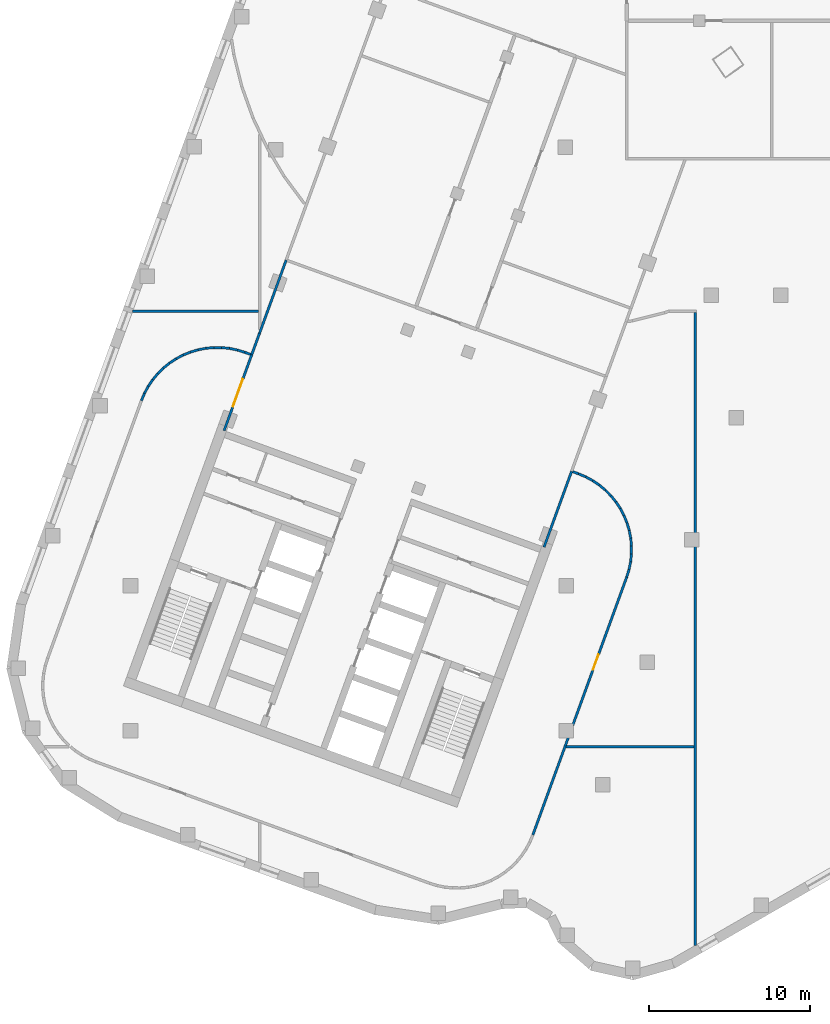
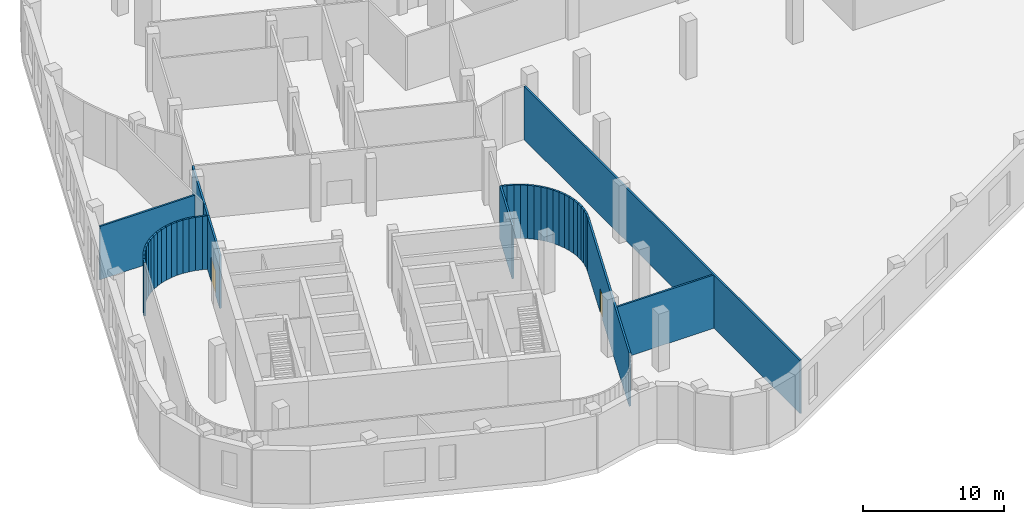
# One storey, part 5 of 18: 42 walls, 2 doors, 2 openings.
"""IFC4 building model written with IfcOpenShell, lengths in metres."""

from ifc_helpers import new_model, si_unit, direction, frame, frame_2d, origin, place, context, subcontext, project, spatial, rectangle, extrude, material, layer, layer_set, type_object, element, fill, save


model = new_model("IFC4")

# Units and contexts
model_context = context("Model", 3, precision=1e-05, world=origin(), true_north=direction((0.0, 1.0)))
body_context = subcontext(model_context, "Body", "Model", "MODEL_VIEW")
ifc_project = project(units=[si_unit("LENGTHUNIT", "METRE"), si_unit("AREAUNIT", "SQUARE_METRE"), si_unit("VOLUMEUNIT", "CUBIC_METRE"), si_unit("PLANEANGLEUNIT", "RADIAN"), si_unit("MASSUNIT", "GRAM", prefix="KILO")], contexts=[model_context])

# Site, building, storey
site_placement = place(None, origin())
site = spatial("IfcSite", under=ifc_project, at=site_placement, CompositionType="ELEMENT")
building_placement = place(site_placement, origin())
building = spatial("IfcBuilding", under=site, at=building_placement, Name="Skarvind Civic Tower", CompositionType="ELEMENT")
storey_placement = place(building_placement, frame((0.0, 0.0, 22.5)))
storey = spatial("IfcBuildingStorey", under=building, at=storey_placement, Name="L04", CompositionType="ELEMENT", Elevation=22.5)

# Walls
ifc_material_1 = material(Name="Plasterboard partition on steel studs", Category="steel")
ifc_layer = layer(ifc_material_1, 0.14990234375)
ifc_layer_set = layer_set([ifc_layer], Name="PARTITION 150")
wall_type = type_object("IfcWallType", Name="PARTITION 150", PredefinedType="PARTITIONING", material=ifc_layer_set)
wall_1_placement = place(storey_placement, frame((19.139892578125, 108.0, 0.0), z_axis=(0.0, 0.0, 1.0), x_axis=(1.0, 0.0, 0.0)))
element("IfcWall", 1, at=wall_1_placement, inside=storey, type_object=wall_type, Name="Podium partition L04 021", PredefinedType="PARTITIONING", context=body_context, shape_type="SweptSolid", body=[
    extrude(rectangle(XDim=7.78515625, YDim=0.14990234375, at=frame_2d((3.892578125, 0.0))), origin(), (0.0, 0.0, 1.0), 4.625),
])
wall_2_placement = place(storey_placement, frame((19.677001953125, 102.4599609375, 0.0), z_axis=(0.0, 0.0, 1.0), x_axis=(0.386429931229, 0.922318767157, 0.0)))
element("IfcWall", 2, at=wall_2_placement, inside=storey, type_object=wall_type, Name="Podium partition L04 022", PredefinedType="PARTITIONING", context=body_context, shape_type="SweptSolid", body=[
    extrude(rectangle(XDim=0.49658203125, YDim=0.14990234375, at=frame_2d((0.248291015625, 0.0))), origin(), (0.0, 0.0, 1.0), 4.625),
])
wall_3_placement = place(storey_placement, frame((19.865966796875, 102.912109375, 0.0), z_axis=(0.0, 0.0, 1.0), x_axis=(0.478336447807, 0.878176658025, 0.0)))
element("IfcWall", 3, at=wall_3_placement, inside=storey, type_object=wall_type, Name="Podium partition L04 023", PredefinedType="PARTITIONING", context=body_context, shape_type="SweptSolid", body=[
    extrude(rectangle(XDim=0.49755859375, YDim=0.14990234375, at=frame_2d((0.248779296875, 0.0))), origin(), (0.0, 0.0, 1.0), 4.625),
])
wall_4_placement = place(storey_placement, frame((20.10009765625, 103.343017578125, 0.0), z_axis=(0.0, 0.0, 1.0), x_axis=(0.559439200494, 0.828871389874, 0.0)))
element("IfcWall", 4, at=wall_4_placement, inside=storey, type_object=wall_type, Name="Podium partition L04 024", PredefinedType="PARTITIONING", context=body_context, shape_type="SweptSolid", body=[
    extrude(rectangle(XDim=0.498291015625, YDim=0.14990234375, at=frame_2d((0.2490234375, 0.0))), origin(), (0.0, 0.0, 1.0), 4.625),
])
wall_5_placement = place(storey_placement, frame((20.375, 103.75, 0.0), z_axis=(0.0, 0.0, 1.0), x_axis=(0.637426997618, 0.77051075444, 0.0)))
element("IfcWall", 5, at=wall_5_placement, inside=storey, type_object=wall_type, Name="Podium partition L04 025", PredefinedType="PARTITIONING", context=body_context, shape_type="SweptSolid", body=[
    extrude(rectangle(XDim=0.4970703125, YDim=0.14990234375, at=frame_2d((0.24853515625, 0.0))), origin(), (0.0, 0.0, 1.0), 4.625),
])
wall_6_placement = place(storey_placement, frame((20.68701171875, 104.126953125, 0.0), z_axis=(0.0, 0.0, 1.0), x_axis=(0.711007970504, 0.703183948821, 0.0)))
element("IfcWall", 6, at=wall_6_placement, inside=storey, type_object=wall_type, Name="Podium partition L04 026", PredefinedType="PARTITIONING", context=body_context, shape_type="SweptSolid", body=[
    extrude(rectangle(XDim=0.499267578125, YDim=0.14990234375, at=frame_2d((0.24951171875, 0.0))), origin(), (0.0, 0.0, 1.0), 4.625),
])
wall_7_placement = place(storey_placement, frame((21.035888671875, 104.472900390625, 0.0), z_axis=(0.0, 0.0, 1.0), x_axis=(0.77650322697, 0.630113274345, 0.0)))
element("IfcWall", 7, at=wall_7_placement, inside=storey, type_object=wall_type, Name="Podium partition L04 027", PredefinedType="PARTITIONING", context=body_context, shape_type="SweptSolid", body=[
    extrude(rectangle(XDim=0.49853515625, YDim=0.14990234375, at=frame_2d((0.249267578125, 0.0))), origin(), (0.0, 0.0, 1.0), 4.625),
])
for number, where, z_axis, x_axis, name in (
    (8, (21.4169921875, 104.782958984375, 0.0), (0.0, 0.0, 1.0), (0.835203810699, 0.549940537326, 0.0), "Podium partition L04 028"),
    (9, (21.826904296875, 105.052978515625, 0.0), (0.0, 0.0, 1.0), (0.883895214997, 0.467684988967, 0.0), "Podium partition L04 029"),
):
    element("IfcWall", number, at=place(storey_placement, frame(where, z_axis=z_axis, x_axis=x_axis)), inside=storey, type_object=wall_type, Name=name, PredefinedType="PARTITIONING", context=body_context, shape_type="SweptSolid", body=[
        extrude(rectangle(XDim=0.498046875, YDim=0.14990234375, at=frame_2d((0.2490234375, 0.0))), origin(), (0.0, 0.0, 1.0), 4.625),
    ])
wall_8_placement = place(storey_placement, frame((22.260986328125, 105.282958984375, 0.0), z_axis=(0.0, 0.0, 1.0), x_axis=(0.926359379867, 0.376640809436, 0.0)))
element("IfcWall", 10, at=wall_8_placement, inside=storey, type_object=wall_type, Name="Podium partition L04 030", PredefinedType="PARTITIONING", context=body_context, shape_type="SweptSolid", body=[
    extrude(rectangle(XDim=0.49658203125, YDim=0.14990234375, at=frame_2d((0.248291015625, 0.0))), origin(), (0.0, 0.0, 1.0), 4.625),
])
wall_9_placement = place(storey_placement, frame((22.714111328125, 105.468017578125, 0.0), z_axis=(0.0, 0.0, 1.0), x_axis=(0.958511041414, 0.285055404243, 0.0)))
element("IfcWall", 11, at=wall_9_placement, inside=storey, type_object=wall_type, Name="Podium partition L04 031", PredefinedType="PARTITIONING", context=body_context, shape_type="SweptSolid", body=[
    extrude(rectangle(XDim=0.49853515625, YDim=0.14990234375, at=frame_2d((0.249267578125, 0.0))), origin(), (0.0, 0.0, 1.0), 4.625),
])
wall_10_placement = place(storey_placement, frame((23.18408203125, 105.60791015625, 0.0), z_axis=(0.0, 0.0, 1.0), x_axis=(0.981729772821, 0.190280459207, 0.0)))
element("IfcWall", 12, at=wall_10_placement, inside=storey, type_object=wall_type, Name="Podium partition L04 032", PredefinedType="PARTITIONING", context=body_context, shape_type="SweptSolid", body=[
    extrude(rectangle(XDim=0.4990234375, YDim=0.14990234375, at=frame_2d((0.24951171875, 0.0))), origin(), (0.0, 0.0, 1.0), 4.625),
])
wall_11_placement = place(storey_placement, frame((23.666015625, 105.701904296875, 0.0), z_axis=(0.0, 0.0, 1.0), x_axis=(0.995719029091, 0.092431678044, 0.0)))
element("IfcWall", 13, at=wall_11_placement, inside=storey, type_object=wall_type, Name="Podium partition L04 033", PredefinedType="PARTITIONING", context=body_context, shape_type="SweptSolid", body=[
    extrude(rectangle(XDim=0.499267578125, YDim=0.14990234375, at=frame_2d((0.24951171875, 0.0))), origin(), (0.0, 0.0, 1.0), 4.625),
])
wall_12_placement = place(storey_placement, frame((24.155029296875, 105.748046875, 0.0), z_axis=(0.0, 0.0, 1.0), x_axis=(0.999982699411, -0.005882251173, 0.0)))
element("IfcWall", 14, at=wall_12_placement, inside=storey, type_object=wall_type, Name="Podium partition L04 034", PredefinedType="PARTITIONING", context=body_context, shape_type="SweptSolid", body=[
    extrude(rectangle(XDim=0.498046875, YDim=0.14990234375, at=frame_2d((0.2490234375, 0.0))), origin(), (0.0, 0.0, 1.0), 4.625),
])
wall_13_placement = place(storey_placement, frame((24.64501953125, 105.7451171875, 0.0), z_axis=(0.0, 0.0, 1.0), x_axis=(0.994752095055, -0.102314560958, 0.0)))
element("IfcWall", 15, at=wall_13_placement, inside=storey, type_object=wall_type, Name="Podium partition L04 035", PredefinedType="PARTITIONING", context=body_context, shape_type="SweptSolid", body=[
    extrude(rectangle(XDim=0.498779296875, YDim=0.14990234375, at=frame_2d((0.24951171875, 0.0))), origin(), (0.0, 0.0, 1.0), 4.625),
])

# Wall, opening, door
wall_14_placement = place(storey_placement, frame((24.800048828125, 100.597900390625, 0.0), z_axis=(0.0, 0.0, 1.0), x_axis=(0.34194689438, 0.939719277989, 0.0)))
wall_14 = element("IfcWall", 16, at=wall_14_placement, inside=storey, type_object=wall_type, Name="Podium partition L04 036", PredefinedType="PARTITIONING", context=body_context, shape_type="SweptSolid", body=[
    extrude(rectangle(XDim=5.000732421875, YDim=0.14990234375, at=frame_2d((2.50048828125, 0.0))), origin(), (0.0, 0.0, 1.0), 4.625),
])
opening_1_placement = place(wall_14_placement, frame((1.60009765625, 0.0, 0.0)))
opening_1 = element("IfcOpeningElement", 17, at=opening_1_placement, cuts=wall_14, Name="Opening L04-D203", PredefinedType="OPENING", context=body_context, shape_type="SweptSolid", body=[
    extrude(rectangle(XDim=1.800048828125, YDim=2.10009765625, at=frame_2d((0.89990234375, 1.050048828125))), frame((0.0, 0.0849609375, 0.0), z_axis=(0.0, -1.0, 0.0), x_axis=(1.0, 0.0, 0.0)), (0.0, 0.0, 1.0), 0.169921875),
])
ifc_material_2 = material(Name="Timber veneer door leaf", Category="wood")
door_type_1 = type_object("IfcDoorType", Name="DOOR 1800X2100 DOUBLE TIMBER", OperationType="NOTDEFINED", PredefinedType="DOOR", material=ifc_material_2)
door_1_placement = place(opening_1_placement, origin())
door_1 = element("IfcDoor", 18, at=door_1_placement, inside=storey, type_object=door_type_1, Name="DOOR DOOR", OperationType="DOUBLE_DOOR_SINGLE_SWING", OverallHeight=2.10009765625, OverallWidth=1.800048828125, PredefinedType="DOOR", context=body_context, shape_type="SweptSolid", body=[
    extrude(rectangle(XDim=1.800048828125, YDim=2.10009765625, at=frame_2d((0.89990234375, 1.050048828125))), frame((0.0, 0.02490234375, 0.0), z_axis=(0.0, -1.0, 0.0), x_axis=(1.0, 0.0, 0.0)), (0.0, 0.0, 1.0), 0.050048828125),
])
fill(opening_1, door_1)

# Walls
wall_15_placement = place(storey_placement, frame((25.133056640625, 105.695068359375, 0.0), z_axis=(0.0, 0.0, 1.0), x_axis=(0.979686550711, -0.200534940485, 0.0)))
element("IfcWall", 19, at=wall_15_placement, inside=storey, type_object=wall_type, Name="Podium partition L04 037", PredefinedType="PARTITIONING", context=body_context, shape_type="SweptSolid", body=[
    extrude(rectangle(XDim=0.499267578125, YDim=0.14990234375, at=frame_2d((0.24951171875, 0.0))), origin(), (0.0, 0.0, 1.0), 4.625),
])
wall_16_placement = place(storey_placement, frame((25.614013671875, 105.596923828125, 0.0), z_axis=(0.0, 0.0, 1.0), x_axis=(0.955332101268, -0.29553439104, 0.0)))
element("IfcWall", 20, at=wall_16_placement, inside=storey, type_object=wall_type, Name="Podium partition L04 040", PredefinedType="PARTITIONING", context=body_context, shape_type="SweptSolid", body=[
    extrude(rectangle(XDim=0.497314453125, YDim=0.14990234375, at=frame_2d((0.24853515625, 0.0))), origin(), (0.0, 0.0, 1.0), 4.625),
])
wall_17_placement = place(storey_placement, frame((26.0849609375, 105.451904296875, 0.0), z_axis=(0.0, 0.0, 1.0), x_axis=(0.939944328342, -0.341327789109, 0.0)))
element("IfcWall", 21, at=wall_17_placement, inside=storey, type_object=wall_type, Name="Podium partition L04 042", PredefinedType="PARTITIONING", context=body_context, shape_type="SweptSolid", body=[
    extrude(rectangle(XDim=0.377685546875, YDim=0.14990234375, at=frame_2d((0.18896484375, 0.0))), origin(), (0.0, 0.0, 1.0), 4.625),
])
wall_18_placement = place(storey_placement, frame((26.510009765625, 105.297119140625, 0.0), z_axis=(0.0, 0.0, 1.0), x_axis=(0.341866150321, 0.939748655367, 0.0)))
element("IfcWall", 22, at=wall_18_placement, inside=storey, type_object=wall_type, Name="Podium partition L04 043", PredefinedType="PARTITIONING", context=body_context, shape_type="SweptSolid", body=[
    extrude(rectangle(XDim=1.433349609375, YDim=0.14990234375, at=frame_2d((0.716796875, 0.0))), origin(), (0.0, 0.0, 1.0), 4.625),
])
wall_19_placement = place(storey_placement, frame((27.0, 106.64404296875, 0.0), z_axis=(0.0, 0.0, 1.0), x_axis=(0.341962838947, 0.939713475896, 0.0)))
element("IfcWall", 23, at=wall_19_placement, inside=storey, type_object=wall_type, Name="Podium partition L04 047", PredefinedType="PARTITIONING", context=body_context, shape_type="SweptSolid", body=[
    extrude(rectangle(XDim=4.816162109375, YDim=0.14990234375, at=frame_2d((2.408203125, 0.0))), origin(), (0.0, 0.0, 1.0), 4.625),
])

# Wall, opening, door
wall_20_placement = place(storey_placement, frame((49.7490234375, 91.52001953125, 0.0), z_axis=(0.0, 0.0, 1.0), x_axis=(-0.342022021776, -0.939691937084, 0.0)))
wall_20 = element("IfcWall", 24, at=wall_20_placement, inside=storey, type_object=wall_type, Name="Podium partition L04 079", PredefinedType="PARTITIONING", context=body_context, shape_type="SweptSolid", body=[
    extrude(rectangle(XDim=17.00439453125, YDim=0.14990234375, at=frame_2d((8.502197265625, 0.0))), origin(), (0.0, 0.0, 1.0), 4.625),
])
opening_2_placement = place(wall_20_placement, frame((5.10107421875, 0.0, 0.0)))
opening_2 = element("IfcOpeningElement", 25, at=opening_2_placement, cuts=wall_20, Name="Opening L04-D211", PredefinedType="OPENING", context=body_context, shape_type="SweptSolid", body=[
    extrude(rectangle(XDim=1.0, YDim=2.10009765625, at=frame_2d((0.5, 1.050048828125))), frame((0.0, 0.0849609375, 0.0), z_axis=(0.0, -1.0, 0.0), x_axis=(1.0, 0.0, 0.0)), (0.0, 0.0, 1.0), 0.169921875),
])
door_type_2 = type_object("IfcDoorType", Name="DOOR 1000X2100 TIMBER", OperationType="NOTDEFINED", PredefinedType="DOOR", material=ifc_material_2)
door_2_placement = place(opening_2_placement, origin())
door_2 = element("IfcDoor", 26, at=door_2_placement, inside=storey, type_object=door_type_2, Name="DOOR DOOR", OperationType="SINGLE_SWING_LEFT", OverallHeight=2.10009765625, OverallWidth=1.0, PredefinedType="DOOR", context=body_context, shape_type="SweptSolid", body=[
    extrude(rectangle(XDim=1.0, YDim=2.10009765625, at=frame_2d((0.5, 1.050048828125))), frame((0.0, 0.02490234375, 0.0), z_axis=(0.0, -1.0, 0.0), x_axis=(1.0, 0.0, 0.0)), (0.0, 0.0, 1.0), 0.050048828125),
])
fill(opening_2, door_2)

# Walls
wall_21_placement = place(storey_placement, frame((44.626953125, 93.382080078125, 0.0), z_axis=(0.0, 0.0, 1.0), x_axis=(0.342025351501, 0.939690725149, 0.0)))
element("IfcWall", 27, at=wall_21_placement, inside=storey, type_object=wall_type, Name="Podium partition L04 080", PredefinedType="PARTITIONING", context=body_context, shape_type="SweptSolid", body=[
    extrude(rectangle(XDim=4.99951171875, YDim=0.14990234375, at=frame_2d((2.499755859375, 0.0))), origin(), (0.0, 0.0, 1.0), 4.625),
])
wall_22_placement = place(storey_placement, frame((46.0, 81.0, 0.0), z_axis=(0.0, 0.0, 1.0), x_axis=(1.0, 0.0, 0.0)))
element("IfcWall", 28, at=wall_22_placement, inside=storey, type_object=wall_type, Name="Podium partition L04 081", PredefinedType="PARTITIONING", context=body_context, shape_type="SweptSolid", body=[
    extrude(rectangle(XDim=7.925048828125, YDim=0.14990234375, at=frame_2d((3.96240234375, 0.0))), origin(), (0.0, 0.0, 1.0), 4.625),
])
wall_23_placement = place(storey_placement, frame((46.406982421875, 98.053955078125, 0.0), z_axis=(0.0, 0.0, 1.0), x_axis=(0.939944328342, -0.341327789109, 0.0)))
element("IfcWall", 29, at=wall_23_placement, inside=storey, type_object=wall_type, Name="Podium partition L04 082", PredefinedType="PARTITIONING", context=body_context, shape_type="SweptSolid", body=[
    extrude(rectangle(XDim=0.377685546875, YDim=0.14990234375, at=frame_2d((0.18896484375, 0.0))), origin(), (0.0, 0.0, 1.0), 4.625),
])
wall_24_placement = place(storey_placement, frame((46.758056640625, 97.927001953125, 0.0), z_axis=(0.0, 0.0, 1.0), x_axis=(0.922024303007, -0.387131999019, 0.0)))
element("IfcWall", 30, at=wall_24_placement, inside=storey, type_object=wall_type, Name="Podium partition L04 085", PredefinedType="PARTITIONING", context=body_context, shape_type="SweptSolid", body=[
    extrude(rectangle(XDim=0.49560546875, YDim=0.14990234375, at=frame_2d((0.247802734375, 0.0))), origin(), (0.0, 0.0, 1.0), 4.625),
])
wall_25_placement = place(storey_placement, frame((47.208984375, 97.738037109375, 0.0), z_axis=(0.0, 0.0, 1.0), x_axis=(0.878624509573, -0.47751332042, 0.0)))
element("IfcWall", 31, at=wall_25_placement, inside=storey, type_object=wall_type, Name="Podium partition L04 086", PredefinedType="PARTITIONING", context=body_context, shape_type="SweptSolid", body=[
    extrude(rectangle(XDim=0.49853515625, YDim=0.14990234375, at=frame_2d((0.249267578125, 0.0))), origin(), (0.0, 0.0, 1.0), 4.625),
])
wall_26_placement = place(storey_placement, frame((47.64111328125, 97.50390625, 0.0), z_axis=(0.0, 0.0, 1.0), x_axis=(0.829013848944, -0.559228073561, 0.0)))
element("IfcWall", 32, at=wall_26_placement, inside=storey, type_object=wall_type, Name="Podium partition L04 087", PredefinedType="PARTITIONING", context=body_context, shape_type="SweptSolid", body=[
    extrude(rectangle(XDim=0.496826171875, YDim=0.14990234375, at=frame_2d((0.24853515625, 0.0))), origin(), (0.0, 0.0, 1.0), 4.625),
])
wall_27_placement = place(storey_placement, frame((48.047119140625, 97.22998046875, 0.0), z_axis=(0.0, 0.0, 1.0), x_axis=(0.770145329221, -0.637868459699, 0.0)))
element("IfcWall", 33, at=wall_27_placement, inside=storey, type_object=wall_type, Name="Podium partition L04 088", PredefinedType="PARTITIONING", context=body_context, shape_type="SweptSolid", body=[
    extrude(rectangle(XDim=0.498291015625, YDim=0.14990234375, at=frame_2d((0.2490234375, 0.0))), origin(), (0.0, 0.0, 1.0), 4.625),
])
wall_28_placement = place(storey_placement, frame((48.425048828125, 96.9169921875, 0.0), z_axis=(0.0, 0.0, 1.0), x_axis=(0.702936615275, -0.711252497293, 0.0)))
element("IfcWall", 34, at=wall_28_placement, inside=storey, type_object=wall_type, Name="Podium partition L04 089", PredefinedType="PARTITIONING", context=body_context, shape_type="SweptSolid", body=[
    extrude(rectangle(XDim=0.4990234375, YDim=0.14990234375, at=frame_2d((0.24951171875, 0.0))), origin(), (0.0, 0.0, 1.0), 4.625),
])
for number, where, z_axis, x_axis, name in (
    (35, (48.77099609375, 96.568115234375, 0.0), (0.0, 0.0, 1.0), (0.62863381992, -0.777701434004, 0.0), "Podium partition L04 091"),
    (36, (49.080078125, 96.18701171875, 0.0), (0.0, 0.0, 1.0), (0.552207910721, -0.833706437145, 0.0), "Podium partition L04 092"),
):
    element("IfcWall", number, at=place(storey_placement, frame(where, z_axis=z_axis, x_axis=x_axis)), inside=storey, type_object=wall_type, Name=name, PredefinedType="PARTITIONING", context=body_context, shape_type="SweptSolid", body=[
        extrude(rectangle(XDim=0.497802734375, YDim=0.14990234375, at=frame_2d((0.2490234375, 0.0))), origin(), (0.0, 0.0, 1.0), 4.625),
    ])
wall_29_placement = place(storey_placement, frame((49.35107421875, 95.778076171875, 0.0), z_axis=(0.0, 0.0, 1.0), x_axis=(0.46615085347, -0.884705251374, 0.0)))
element("IfcWall", 37, at=wall_29_placement, inside=storey, type_object=wall_type, Name="Podium partition L04 093", PredefinedType="PARTITIONING", context=body_context, shape_type="SweptSolid", body=[
    extrude(rectangle(XDim=0.49755859375, YDim=0.14990234375, at=frame_2d((0.248779296875, 0.0))), origin(), (0.0, 0.0, 1.0), 4.625),
])
wall_30_placement = place(storey_placement, frame((49.580078125, 95.343994140625, 0.0), z_axis=(0.0, 0.0, 1.0), x_axis=(0.378326719955, -0.925672130383, 0.0)))
element("IfcWall", 38, at=wall_30_placement, inside=storey, type_object=wall_type, Name="Podium partition L04 094", PredefinedType="PARTITIONING", context=body_context, shape_type="SweptSolid", body=[
    extrude(rectangle(XDim=0.496826171875, YDim=0.14990234375, at=frame_2d((0.24853515625, 0.0))), origin(), (0.0, 0.0, 1.0), 4.625),
])
wall_31_placement = place(storey_placement, frame((49.7470703125, 91.51611328125, 0.0), z_axis=(0.0, 0.0, 1.0), x_axis=(0.296228958727, 0.955116958289, 0.0)))
element("IfcWall", 39, at=wall_31_placement, inside=storey, type_object=wall_type, Name="Podium partition L04 097", PredefinedType="PARTITIONING", context=body_context, shape_type="SweptSolid", body=[
    extrude(rectangle(XDim=0.49609375, YDim=0.14990234375, at=frame_2d((0.248046875, 0.0))), origin(), (0.0, 0.0, 1.0), 4.625),
])
wall_32_placement = place(storey_placement, frame((49.76611328125, 94.89111328125, 0.0), z_axis=(0.0, 0.0, 1.0), x_axis=(0.283938571221, -0.958842472867, 0.0)))
element("IfcWall", 40, at=wall_32_placement, inside=storey, type_object=wall_type, Name="Podium partition L04 105", PredefinedType="PARTITIONING", context=body_context, shape_type="SweptSolid", body=[
    extrude(rectangle(XDim=0.49951171875, YDim=0.14990234375, at=frame_2d((0.249755859375, 0.0))), origin(), (0.0, 0.0, 1.0), 4.625),
])
wall_33_placement = place(storey_placement, frame((49.89208984375, 91.98291015625, 0.0), z_axis=(0.0, 0.0, 1.0), x_axis=(0.202330199798, 0.979317359312, 0.0)))
element("IfcWall", 41, at=wall_33_placement, inside=storey, type_object=wall_type, Name="Podium partition L04 106", PredefinedType="PARTITIONING", context=body_context, shape_type="SweptSolid", body=[
    extrude(rectangle(XDim=0.498291015625, YDim=0.14990234375, at=frame_2d((0.2490234375, 0.0))), origin(), (0.0, 0.0, 1.0), 4.625),
])
wall_34_placement = place(storey_placement, frame((49.906005859375, 94.419921875, 0.0), z_axis=(0.0, 0.0, 1.0), x_axis=(0.190646652196, -0.981658725834, 0.0)))
element("IfcWall", 42, at=wall_34_placement, inside=storey, type_object=wall_type, Name="Podium partition L04 107", PredefinedType="PARTITIONING", context=body_context, shape_type="SweptSolid", body=[
    extrude(rectangle(XDim=0.498046875, YDim=0.14990234375, at=frame_2d((0.2490234375, 0.0))), origin(), (0.0, 0.0, 1.0), 4.625),
])
wall_35_placement = place(storey_placement, frame((49.991943359375, 92.462890625, 0.0), z_axis=(0.0, 0.0, 1.0), x_axis=(0.102314560958, 0.994752095055, 0.0)))
element("IfcWall", 43, at=wall_35_placement, inside=storey, type_object=wall_type, Name="Podium partition L04 108", PredefinedType="PARTITIONING", context=body_context, shape_type="SweptSolid", body=[
    extrude(rectangle(XDim=0.498779296875, YDim=0.14990234375, at=frame_2d((0.24951171875, 0.0))), origin(), (0.0, 0.0, 1.0), 4.625),
])
for number, where, z_axis, x_axis, name in (
    (44, (50.0, 93.93896484375, 0.0), (0.0, 0.0, 1.0), (0.090006472106, -0.995941180482, 0.0), "Podium partition L04 109"),
    (45, (50.04296875, 92.950927734375, 0.0), (0.0, 0.0, 1.0), (0.003913864348, 0.999992340804, 0.0), "Podium partition L04 111"),
):
    element("IfcWall", number, at=place(storey_placement, frame(where, z_axis=z_axis, x_axis=x_axis)), inside=storey, type_object=wall_type, Name=name, PredefinedType="PARTITIONING", context=body_context, shape_type="SweptSolid", body=[
        extrude(rectangle(XDim=0.4990234375, YDim=0.14990234375, at=frame_2d((0.24951171875, 0.0))), origin(), (0.0, 0.0, 1.0), 4.625),
    ])
wall_36_placement = place(storey_placement, frame((54.0, 68.701904296875, 0.0), z_axis=(0.0, 0.0, 1.0), x_axis=(0.0, 1.0, 0.0)))
element("IfcWall", 46, at=wall_36_placement, inside=storey, type_object=wall_type, Name="Podium partition L04 115", PredefinedType="PARTITIONING", context=body_context, shape_type="SweptSolid", body=[
    extrude(rectangle(XDim=39.22314453125, YDim=0.14990234375, at=frame_2d((19.611572265625, 0.0))), origin(), (0.0, 0.0, 1.0), 4.625),
])

save(model, "model.ifc")
